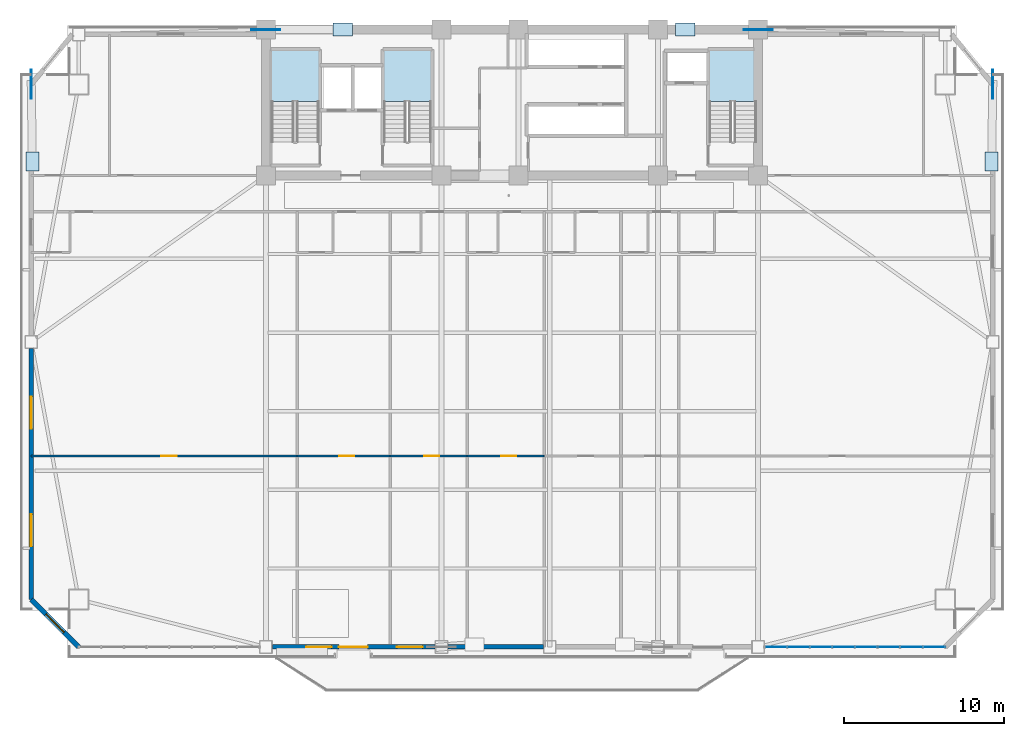
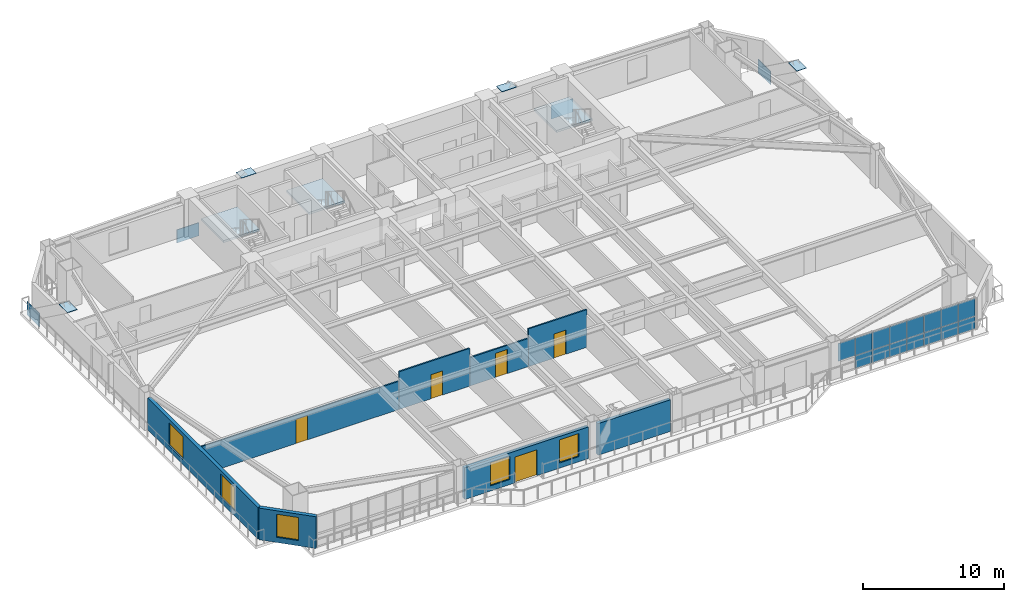
# One storey, part 7 of 17: 23 plates, 8 walls, 5 doors, 5 windows, 3 slabs, 10 openings, 4 elements without a shape of their own.
"""IFC4 building model written with IfcOpenShell, lengths in metres."""

from ifc_helpers import new_model, si_unit, direction, frame, frame_2d, origin, origin_2d, place, context, subcontext, project, spatial, polyline, rectangle, outline, extrude, source, transform, mapped, material, layer, layer_set, type_object, element, fill, aggregate, save


model = new_model("IFC4")

# Units and contexts
model_context = context("Model", 3, precision=1e-05, world=origin(), true_north=direction((0.0, 1.0)))
body_context = subcontext(model_context, "Body", "Model", "MODEL_VIEW")
ifc_project = project(units=[si_unit("LENGTHUNIT", "METRE"), si_unit("AREAUNIT", "SQUARE_METRE"), si_unit("VOLUMEUNIT", "CUBIC_METRE"), si_unit("PLANEANGLEUNIT", "RADIAN"), si_unit("MASSUNIT", "GRAM", prefix="KILO")], contexts=[model_context])

# Site, building, storey
site_placement = place(None, origin())
site = spatial("IfcSite", under=ifc_project, at=site_placement, CompositionType="ELEMENT")
building_placement = place(site_placement, origin())
building = spatial("IfcBuilding", under=site, at=building_placement, Name="Giltprow Tower", CompositionType="ELEMENT")
storey_placement = place(building_placement, frame((0.0, 0.0, 137.699951171875)))
storey = spatial("IfcBuildingStorey", under=building, at=storey_placement, Name="L33", CompositionType="ELEMENT", Elevation=137.699951171875)

# Stair, slab
ifc_material_1 = material(Name="Concrete C40", Category="concrete")
stair_type_1 = type_object("IfcStairType", Name="STR-ST-1", PredefinedType="HALF_TURN_STAIR", material=ifc_material_1)
stair_1_placement = place(storey_placement, origin())
stair_1 = element("IfcStair", 1, at=stair_1_placement, inside=storey, type_object=stair_type_1, Name="L33 Core Exit Stair ST-1", PredefinedType="HALF_TURN_STAIR")
ifc_layer_1 = layer(ifc_material_1, 0.179931640625, Name="Concrete C40")
ifc_layer_set_1 = layer_set([ifc_layer_1], Name="Concrete C40")
slab_type_1 = type_object("IfcSlabType", Name="SLD-ST-1", PredefinedType="LANDING", material=ifc_layer_set_1)
slab_1_placement = place(storey_placement, frame((0.0, 0.0, 1.570068359375)))
slab_1 = element("IfcSlab", 2, at=slab_1_placement, type_object=slab_type_1, Name="ST-1 landing 1", PredefinedType="LANDING", context=body_context, shape_type="SweptSolid", body=[
    extrude(outline(polyline([(23.159912109375, 42.070068359375), (23.159912109375, 45.25), (20.199951171875, 45.25), (20.199951171875, 42.070068359375), (23.159912109375, 42.070068359375)])), origin(), (0.0, 0.0, 1.0), 0.179931640625),
])
aggregate(stair_1, [slab_1])

stair_type_2 = type_object("IfcStairType", Name="STR-ST-2", PredefinedType="HALF_TURN_STAIR", material=ifc_material_1)
stair_2_placement = place(storey_placement, origin())
stair_2 = element("IfcStair", 3, at=stair_2_placement, inside=storey, type_object=stair_type_2, Name="L33 Core Exit Stair ST-2", PredefinedType="HALF_TURN_STAIR")
ifc_layer_2 = layer(ifc_material_1, 0.18798828125, Name="Concrete C40")
ifc_layer_set_2 = layer_set([ifc_layer_2], Name="Concrete C40")
slab_type_2 = type_object("IfcSlabType", Name="SLD-ST-2", PredefinedType="LANDING", material=ifc_layer_set_2)
slab_2_placement = place(storey_placement, frame((0.0, 0.0, 1.56201171875)))
slab_2 = element("IfcSlab", 4, at=slab_2_placement, type_object=slab_type_2, Name="ST-2 landing 1", PredefinedType="LANDING", context=body_context, shape_type="SweptSolid", body=[
    extrude(outline(polyline([(30.159912109375, 42.070068359375), (30.159912109375, 45.25), (27.199951171875, 45.25), (27.199951171875, 42.070068359375), (30.159912109375, 42.070068359375)])), origin(), (0.0, 0.0, 1.0), 0.18798828125),
])
aggregate(stair_2, [slab_2])

stair_type_3 = type_object("IfcStairType", Name="STR-ST-3", PredefinedType="HALF_TURN_STAIR", material=ifc_material_1)
stair_3_placement = place(storey_placement, origin())
stair_3 = element("IfcStair", 5, at=stair_3_placement, inside=storey, type_object=stair_type_3, Name="L33 Core Exit Stair ST-3", PredefinedType="HALF_TURN_STAIR")
ifc_layer_3 = layer(ifc_material_1, 0.196044921875, Name="Concrete C40")
ifc_layer_set_3 = layer_set([ifc_layer_3], Name="Concrete C40")
slab_type_3 = type_object("IfcSlabType", Name="SLD-ST-3", PredefinedType="LANDING", material=ifc_layer_set_3)
slab_3_placement = place(storey_placement, frame((0.0, 0.0, 1.553955078125)))
slab_3 = element("IfcSlab", 6, at=slab_3_placement, type_object=slab_type_3, Name="ST-3 landing 1", PredefinedType="LANDING", context=body_context, shape_type="SweptSolid", body=[
    extrude(outline(polyline([(50.4599609375, 42.070068359375), (50.4599609375, 45.25), (47.5, 45.25), (47.5, 42.070068359375), (50.4599609375, 42.070068359375)])), origin(), (0.0, 0.0, 1.0), 0.196044921875),
])
aggregate(stair_3, [slab_3])

# Plates
ifc_material_2 = material(Name="Structural steel Q420GJC", Category="steel")
plate_type_1 = type_object("IfcPlateType", Name="PLT-NODE-MBN1", PredefinedType="USERDEFINED", material=ifc_material_2)
shared_shape_1 = source(origin(), body_context, "Body", "SweptSolid", [
    extrude(rectangle(XDim=1.800048828125, YDim=0.050048828125, at=origin_2d()), origin(), (0.0, 0.0, 1.0), 1.14990234375),
])
for number, where, z_axis, x_axis, name in (
    (7, (19.85009765625, 46.550048828125, -0.71484375), (0.0, 0.0, 1.0), (1.0, 0.0, 0.0), "Mega-Brace Node L33-N-LA"),
    (8, (50.550048828125, 46.550048828125, -0.71484375), (0.0, 0.0, 1.0), (1.0, 0.0, 0.0), "Mega-Brace Node L33-N-RA"),
    (9, (5.214111328125, 43.134033203125, -0.574951171875), (0.0, 0.0, 1.0), (0.0, 1.0, 0.0), "Mega-Brace Node L33-W-RA"),
    (10, (65.18603515625, 43.134033203125, -0.574951171875), (0.0, 0.0, 1.0), (0.0, 1.0, 0.0), "Mega-Brace Node L33-E-RA"),
):
    element("IfcPlate", number, at=place(storey_placement, frame(where, z_axis=z_axis, x_axis=x_axis)), inside=storey, type_object=plate_type_1, Name=name, ObjectType="GUSSET", PredefinedType="USERDEFINED", context=body_context, shape_type="MappedRepresentation", body=[
        mapped(shared_shape_1, transform((0.0, 0.0, 0.0), x_axis=(1.0, 0.0, 0.0), y_axis=(0.0, 1.0, 0.0), z_axis=(0.0, 0.0, 1.0), scale=1.0)),
    ])
plate_type_2 = type_object("IfcPlateType", Name="PLT-CAP-SEAL", PredefinedType="USERDEFINED", material=ifc_material_2)
shared_shape_2 = source(origin(), body_context, "Body", "SweptSolid", [
    extrude(rectangle(XDim=1.199951171875, YDim=0.800048828125, at=origin_2d()), origin(), (0.0, 0.0, 1.0), 0.034912109375),
])
for number, where, z_axis, x_axis, name in (
    (11, (24.64306640625, 46.550048828125, 3.3427734375), (0.0, 0.0, 1.0), (1.0, 0.0, 0.0), "Mega-Brace Node L33-N-LB"),
    (12, (46.0, 46.550048828125, 3.3427734375), (0.0, 0.0, 1.0), (1.0, 0.0, 0.0), "Mega-Brace Node L33-N-RB"),
    (13, (5.285888671875, 38.325927734375, 3.482421875), (0.0, 0.0, 1.0), (0.0, 1.0, 0.0), "Mega-Brace Node L33-W-RB"),
    (14, (65.114013671875, 38.325927734375, 3.482421875), (0.0, 0.0, 1.0), (0.0, 1.0, 0.0), "Mega-Brace Node L33-E-RB"),
):
    element("IfcPlate", number, at=place(storey_placement, frame(where, z_axis=z_axis, x_axis=x_axis)), inside=storey, type_object=plate_type_2, Name=name, ObjectType="SPLICE", PredefinedType="USERDEFINED", context=body_context, shape_type="MappedRepresentation", body=[
        mapped(shared_shape_2, transform((0.0, 0.0, 0.0), x_axis=(1.0, 0.0, 0.0), y_axis=(0.0, 1.0, 0.0), z_axis=(0.0, 0.0, 1.0), scale=1.0)),
    ])

# Curtain wall, plates
ifc_material_3 = material(Name="Anodized bronze", Category="metal")
ifc_layer_4 = layer(ifc_material_3, 0.179931640625, Name="Anodized bronze")
ifc_layer_set_4 = layer_set([ifc_layer_4], Name="Anodized bronze")
curtain_wall_type = type_object("IfcCurtainWallType", Name="CW-HTL-BRONZE", PredefinedType="NOTDEFINED", material=ifc_layer_set_4)
curtain_wall_placement = place(storey_placement, origin())
curtain_wall = element("IfcCurtainWall", 15, at=curtain_wall_placement, inside=storey, type_object=curtain_wall_type, Name="L33 South Recessed Curtain Wall 6", PredefinedType="NOTDEFINED")
ifc_material_4 = material(Name="Insulated glass", Category="glass")
plate_type_3 = type_object("IfcPlateType", Name="CW-PANEL-IGU-28", PredefinedType="CURTAIN_PANEL", material=ifc_material_4)
shared_shape_3 = source(origin(), body_context, "Body", "SweptSolid", [
    extrude(rectangle(XDim=1.37890625, YDim=0.028076171875, at=origin_2d()), origin(), (0.0, 0.0, 1.0), 1.0869140625),
])
plate_1_placement = place(storey_placement, frame((53.06298828125, 8.044921875, 0.0546875), z_axis=(0.0, 0.0, 1.0), x_axis=(1.0, 0.0, 0.0)))
plate_1 = element("IfcPlate", 16, at=plate_1_placement, type_object=plate_type_3, Name="L33 South Recessed Curtain Wall 6 Glazing Panel 2-1", PredefinedType="CURTAIN_PANEL", context=body_context, shape_type="MappedRepresentation", body=[
    mapped(shared_shape_3, transform((0.0, 0.0, 0.0), x_axis=(1.0, 0.0, 0.0), y_axis=(0.0, 1.0, 0.0), z_axis=(0.0, 0.0, 1.0), scale=1.0)),
])
plate_2_placement = place(storey_placement, frame((54.471923828125, 8.044921875, 0.0546875), z_axis=(0.0, 0.0, 1.0), x_axis=(1.0, 0.0, 0.0)))
plate_2 = element("IfcPlate", 17, at=plate_2_placement, type_object=plate_type_3, Name="L33 South Recessed Curtain Wall 6 Glazing Panel 3-1", PredefinedType="CURTAIN_PANEL", context=body_context, shape_type="MappedRepresentation", body=[
    mapped(shared_shape_3, transform((0.0, 0.0, 0.0), x_axis=(1.0, 0.0, 0.0), y_axis=(0.0, 1.0, 0.0), z_axis=(0.0, 0.0, 1.0), scale=1.0)),
])
plate_3_placement = place(storey_placement, frame((55.881103515625, 8.044921875, 0.0546875), z_axis=(0.0, 0.0, 1.0), x_axis=(1.0, 0.0, 0.0)))
plate_3 = element("IfcPlate", 18, at=plate_3_placement, type_object=plate_type_3, Name="L33 South Recessed Curtain Wall 6 Glazing Panel 4-1", PredefinedType="CURTAIN_PANEL", context=body_context, shape_type="MappedRepresentation", body=[
    mapped(shared_shape_3, transform((0.0, 0.0, 0.0), x_axis=(1.0, 0.0, 0.0), y_axis=(0.0, 1.0, 0.0), z_axis=(0.0, 0.0, 1.0), scale=1.0)),
])
plate_4_placement = place(storey_placement, frame((57.2900390625, 8.044921875, 0.0546875), z_axis=(0.0, 0.0, 1.0), x_axis=(1.0, 0.0, 0.0)))
plate_4 = element("IfcPlate", 19, at=plate_4_placement, type_object=plate_type_3, Name="L33 South Recessed Curtain Wall 6 Glazing Panel 5-1", PredefinedType="CURTAIN_PANEL", context=body_context, shape_type="MappedRepresentation", body=[
    mapped(shared_shape_3, transform((0.0, 0.0, 0.0), x_axis=(1.0, 0.0, 0.0), y_axis=(0.0, 1.0, 0.0), z_axis=(0.0, 0.0, 1.0), scale=1.0)),
])
plate_5_placement = place(storey_placement, frame((58.698974609375, 8.044921875, 0.0546875), z_axis=(0.0, 0.0, 1.0), x_axis=(1.0, 0.0, 0.0)))
plate_5 = element("IfcPlate", 20, at=plate_5_placement, type_object=plate_type_3, Name="L33 South Recessed Curtain Wall 6 Glazing Panel 6-1", PredefinedType="CURTAIN_PANEL", context=body_context, shape_type="MappedRepresentation", body=[
    mapped(shared_shape_3, transform((0.0, 0.0, 0.0), x_axis=(1.0, 0.0, 0.0), y_axis=(0.0, 1.0, 0.0), z_axis=(0.0, 0.0, 1.0), scale=1.0)),
])
plate_6_placement = place(storey_placement, frame((60.10791015625, 8.044921875, 0.0546875), z_axis=(0.0, 0.0, 1.0), x_axis=(1.0, 0.0, 0.0)))
plate_6 = element("IfcPlate", 21, at=plate_6_placement, type_object=plate_type_3, Name="L33 South Recessed Curtain Wall 6 Glazing Panel 7-1", PredefinedType="CURTAIN_PANEL", context=body_context, shape_type="MappedRepresentation", body=[
    mapped(shared_shape_3, transform((0.0, 0.0, 0.0), x_axis=(1.0, 0.0, 0.0), y_axis=(0.0, 1.0, 0.0), z_axis=(0.0, 0.0, 1.0), scale=1.0)),
])
plate_7_placement = place(storey_placement, frame((61.51708984375, 8.044921875, 0.0546875), z_axis=(0.0, 0.0, 1.0), x_axis=(1.0, 0.0, 0.0)))
plate_7 = element("IfcPlate", 22, at=plate_7_placement, type_object=plate_type_3, Name="L33 South Recessed Curtain Wall 6 Glazing Panel 8-1", PredefinedType="CURTAIN_PANEL", context=body_context, shape_type="MappedRepresentation", body=[
    mapped(shared_shape_3, transform((0.0, 0.0, 0.0), x_axis=(1.0, 0.0, 0.0), y_axis=(0.0, 1.0, 0.0), z_axis=(0.0, 0.0, 1.0), scale=1.0)),
])
shared_shape_4 = source(origin(), body_context, "Body", "SweptSolid", [
    extrude(rectangle(XDim=1.37890625, YDim=0.028076171875, at=origin_2d()), origin(), (0.0, 0.0, 1.0), 1.527099609375),
])
plate_8_placement = place(storey_placement, frame((51.654052734375, 8.044921875, 1.16845703125), z_axis=(0.0, 0.0, 1.0), x_axis=(1.0, 0.0, 0.0)))
plate_8 = element("IfcPlate", 23, at=plate_8_placement, type_object=plate_type_3, Name="L33 South Recessed Curtain Wall 6 Glazing Panel 1-2", PredefinedType="CURTAIN_PANEL", context=body_context, shape_type="MappedRepresentation", body=[
    mapped(shared_shape_4, transform((0.0, 0.0, 0.0), x_axis=(1.0, 0.0, 0.0), y_axis=(0.0, 1.0, 0.0), z_axis=(0.0, 0.0, 1.0), scale=1.0)),
])
plate_9_placement = place(storey_placement, frame((53.06298828125, 8.044921875, 1.16845703125), z_axis=(0.0, 0.0, 1.0), x_axis=(1.0, 0.0, 0.0)))
plate_9 = element("IfcPlate", 24, at=plate_9_placement, type_object=plate_type_3, Name="L33 South Recessed Curtain Wall 6 Glazing Panel 2-2", PredefinedType="CURTAIN_PANEL", context=body_context, shape_type="MappedRepresentation", body=[
    mapped(shared_shape_4, transform((0.0, 0.0, 0.0), x_axis=(1.0, 0.0, 0.0), y_axis=(0.0, 1.0, 0.0), z_axis=(0.0, 0.0, 1.0), scale=1.0)),
])
plate_10_placement = place(storey_placement, frame((54.471923828125, 8.044921875, 1.16845703125), z_axis=(0.0, 0.0, 1.0), x_axis=(1.0, 0.0, 0.0)))
plate_10 = element("IfcPlate", 25, at=plate_10_placement, type_object=plate_type_3, Name="L33 South Recessed Curtain Wall 6 Glazing Panel 3-2", PredefinedType="CURTAIN_PANEL", context=body_context, shape_type="MappedRepresentation", body=[
    mapped(shared_shape_4, transform((0.0, 0.0, 0.0), x_axis=(1.0, 0.0, 0.0), y_axis=(0.0, 1.0, 0.0), z_axis=(0.0, 0.0, 1.0), scale=1.0)),
])
plate_11_placement = place(storey_placement, frame((55.881103515625, 8.044921875, 1.16845703125), z_axis=(0.0, 0.0, 1.0), x_axis=(1.0, 0.0, 0.0)))
plate_11 = element("IfcPlate", 26, at=plate_11_placement, type_object=plate_type_3, Name="L33 South Recessed Curtain Wall 6 Glazing Panel 4-2", PredefinedType="CURTAIN_PANEL", context=body_context, shape_type="MappedRepresentation", body=[
    mapped(shared_shape_4, transform((0.0, 0.0, 0.0), x_axis=(1.0, 0.0, 0.0), y_axis=(0.0, 1.0, 0.0), z_axis=(0.0, 0.0, 1.0), scale=1.0)),
])
plate_12_placement = place(storey_placement, frame((57.2900390625, 8.044921875, 1.16845703125), z_axis=(0.0, 0.0, 1.0), x_axis=(1.0, 0.0, 0.0)))
plate_12 = element("IfcPlate", 27, at=plate_12_placement, type_object=plate_type_3, Name="L33 South Recessed Curtain Wall 6 Glazing Panel 5-2", PredefinedType="CURTAIN_PANEL", context=body_context, shape_type="MappedRepresentation", body=[
    mapped(shared_shape_4, transform((0.0, 0.0, 0.0), x_axis=(1.0, 0.0, 0.0), y_axis=(0.0, 1.0, 0.0), z_axis=(0.0, 0.0, 1.0), scale=1.0)),
])
plate_13_placement = place(storey_placement, frame((58.698974609375, 8.044921875, 1.16845703125), z_axis=(0.0, 0.0, 1.0), x_axis=(1.0, 0.0, 0.0)))
plate_13 = element("IfcPlate", 28, at=plate_13_placement, type_object=plate_type_3, Name="L33 South Recessed Curtain Wall 6 Glazing Panel 6-2", PredefinedType="CURTAIN_PANEL", context=body_context, shape_type="MappedRepresentation", body=[
    mapped(shared_shape_4, transform((0.0, 0.0, 0.0), x_axis=(1.0, 0.0, 0.0), y_axis=(0.0, 1.0, 0.0), z_axis=(0.0, 0.0, 1.0), scale=1.0)),
])
plate_14_placement = place(storey_placement, frame((60.10791015625, 8.044921875, 1.16845703125), z_axis=(0.0, 0.0, 1.0), x_axis=(1.0, 0.0, 0.0)))
plate_14 = element("IfcPlate", 29, at=plate_14_placement, type_object=plate_type_3, Name="L33 South Recessed Curtain Wall 6 Glazing Panel 7-2", PredefinedType="CURTAIN_PANEL", context=body_context, shape_type="MappedRepresentation", body=[
    mapped(shared_shape_4, transform((0.0, 0.0, 0.0), x_axis=(1.0, 0.0, 0.0), y_axis=(0.0, 1.0, 0.0), z_axis=(0.0, 0.0, 1.0), scale=1.0)),
])
plate_15_placement = place(storey_placement, frame((61.51708984375, 8.044921875, 1.16845703125), z_axis=(0.0, 0.0, 1.0), x_axis=(1.0, 0.0, 0.0)))
plate_15 = element("IfcPlate", 30, at=plate_15_placement, type_object=plate_type_3, Name="L33 South Recessed Curtain Wall 6 Glazing Panel 8-2", PredefinedType="CURTAIN_PANEL", context=body_context, shape_type="MappedRepresentation", body=[
    mapped(shared_shape_4, transform((0.0, 0.0, 0.0), x_axis=(1.0, 0.0, 0.0), y_axis=(0.0, 1.0, 0.0), z_axis=(0.0, 0.0, 1.0), scale=1.0)),
])
aggregate(curtain_wall, [plate_8, plate_1, plate_9, plate_2, plate_10, plate_3, plate_11, plate_4, plate_12, plate_5, plate_13, plate_6, plate_14, plate_7, plate_15])

# Wall, opening, window
ifc_material_5 = material(Name="Precast concrete C40", Category="concrete")
ifc_layer_5 = layer(ifc_material_5, 0.300048828125, Name="Precast concrete C40")
ifc_layer_set_5 = layer_set([ifc_layer_5], Name="Precast concrete C40")
wall_type_1 = type_object("IfcWallType", Name="EW-NOTCH-CHAMFER-300", PredefinedType="SOLIDWALL", material=ifc_layer_set_5)
wall_1_placement = place(storey_placement, frame((5.214111328125, 11.010009765625, 0.0), z_axis=(0.0, 0.0, 1.0), x_axis=(0.707077668364, -0.70713589281, 0.0)))
wall_1 = element("IfcWall", 31, at=wall_1_placement, inside=storey, type_object=wall_type_1, Name="L33 Corner Notch Wall SW", PredefinedType="SOLIDWALL", context=body_context, shape_type="SweptSolid", body=[
    extrude(rectangle(XDim=4.193115234375, YDim=0.300048828125, at=frame_2d((2.0966796875, 0.0))), origin(), (0.0, 0.0, 1.0), 2.75),
])
opening_1_placement = place(wall_1_placement, frame((1.297119140625, 0.0, 0.449951171875)))
opening_1 = element("IfcOpeningElement", 32, at=opening_1_placement, cuts=wall_1, Name="Opening WN17", PredefinedType="OPENING", context=body_context, shape_type="SweptSolid", body=[
    extrude(rectangle(XDim=1.60009765625, YDim=2.0, at=frame_2d((0.800048828125, 1.0))), frame((0.0, 0.159912109375, 0.0), z_axis=(0.0, -1.0, 0.0), x_axis=(1.0, 0.0, 0.0)), (0.0, 0.0, 1.0), 0.320068359375),
])
window_type_1 = type_object("IfcWindowType", Name="WN-COR-1600x2000", PartitioningType="SINGLE_PANEL", PredefinedType="WINDOW", material=ifc_material_4)
shared_shape_5 = source(origin(), body_context, "Body", "SweptSolid", [
    extrude(rectangle(XDim=1.60009765625, YDim=2.0, at=frame_2d((0.800048828125, 1.0))), frame((0.0, 0.030029296875, 0.0), z_axis=(0.0, -1.0, 0.0), x_axis=(1.0, 0.0, 0.0)), (0.0, 0.0, 1.0), 0.06005859375),
])
window_1_placement = place(opening_1_placement, origin())
window_1 = element("IfcWindow", 33, at=window_1_placement, inside=storey, type_object=window_type_1, Name="L33 Corner Notch Window SW", OverallHeight=2.0, OverallWidth=1.60009765625, PartitioningType="SINGLE_PANEL", PredefinedType="WINDOW", context=body_context, shape_type="MappedRepresentation", body=[
    mapped(shared_shape_5, transform((0.0, 0.0, 0.0), x_axis=(1.0, 0.0, 0.0), y_axis=(0.0, 1.0, 0.0), z_axis=(0.0, 0.0, 1.0), scale=1.0)),
])
fill(opening_1, window_1)

# Wall, openings, windows, door
ifc_layer_6 = layer(ifc_material_5, 0.280029296875, Name="Precast concrete C40")
ifc_layer_set_6 = layer_set([ifc_layer_6], Name="Precast concrete C40")
wall_type_2 = type_object("IfcWallType", Name="EW-TOW-BRONZE-280", PredefinedType="SOLIDWALL", material=ifc_layer_set_6)
wall_2_placement = place(storey_placement, frame((20.25, 8.044921875, 0.0), z_axis=(0.0, 0.0, 1.0), x_axis=(1.0, 0.0, 0.0)))
wall_2 = element("IfcWall", 34, at=wall_2_placement, inside=storey, type_object=wall_type_2, Name="L33 South Expressed Frame Wall 2", PredefinedType="SOLIDWALL", context=body_context, shape_type="SweptSolid", body=[
    extrude(rectangle(XDim=10.14990234375, YDim=0.280029296875, at=frame_2d((5.074951171875, 0.0))), origin(), (0.0, 0.0, 1.0), 2.75),
])
opening_2_placement = place(wall_2_placement, frame((4.14990234375, 0.0, 0.0)))
opening_2 = element("IfcOpeningElement", 35, at=opening_2_placement, cuts=wall_2, Name="Opening ED25", PredefinedType="OPENING", context=body_context, shape_type="SweptSolid", body=[
    extrude(rectangle(XDim=1.800048828125, YDim=2.25, at=frame_2d((0.89990234375, 1.125))), frame((0.0, 0.14990234375, 0.0), z_axis=(0.0, -1.0, 0.0), x_axis=(1.0, 0.0, 0.0)), (0.0, 0.0, 1.0), 0.300048828125),
])
opening_3_placement = place(wall_2_placement, frame((2.10498046875, 0.0, 0.449951171875)))
opening_3 = element("IfcOpeningElement", 36, at=opening_3_placement, cuts=wall_2, Name="Opening WN17", PredefinedType="OPENING", context=body_context, shape_type="SweptSolid", body=[
    extrude(rectangle(XDim=1.60009765625, YDim=2.0, at=frame_2d((0.800048828125, 1.0))), frame((0.0, 0.14990234375, 0.0), z_axis=(0.0, -1.0, 0.0), x_axis=(1.0, 0.0, 0.0)), (0.0, 0.0, 1.0), 0.300048828125),
])
opening_4_placement = place(wall_2_placement, frame((7.77001953125, 0.0, 0.449951171875)))
opening_4 = element("IfcOpeningElement", 37, at=opening_4_placement, cuts=wall_2, Name="Opening WN17", PredefinedType="OPENING", context=body_context, shape_type="SweptSolid", body=[
    extrude(rectangle(XDim=1.60009765625, YDim=2.0, at=frame_2d((0.800048828125, 1.0))), frame((0.0, 0.14990234375, 0.0), z_axis=(0.0, -1.0, 0.0), x_axis=(1.0, 0.0, 0.0)), (0.0, 0.0, 1.0), 0.300048828125),
])
window_2_placement = place(opening_3_placement, origin())
window_2 = element("IfcWindow", 38, at=window_2_placement, inside=storey, type_object=window_type_1, Name="L33 South Window 2A", OverallHeight=2.0, OverallWidth=1.60009765625, PartitioningType="SINGLE_PANEL", PredefinedType="WINDOW", context=body_context, shape_type="MappedRepresentation", body=[
    mapped(shared_shape_5, transform((0.0, 0.0, 0.0), x_axis=(1.0, 0.0, 0.0), y_axis=(0.0, 1.0, 0.0), z_axis=(0.0, 0.0, 1.0), scale=1.0)),
])
fill(opening_3, window_2)
window_3_placement = place(opening_4_placement, origin())
window_3 = element("IfcWindow", 39, at=window_3_placement, inside=storey, type_object=window_type_1, Name="L33 South Window 2B", OverallHeight=2.0, OverallWidth=1.60009765625, PartitioningType="SINGLE_PANEL", PredefinedType="WINDOW", context=body_context, shape_type="MappedRepresentation", body=[
    mapped(shared_shape_5, transform((0.0, 0.0, 0.0), x_axis=(1.0, 0.0, 0.0), y_axis=(0.0, 1.0, 0.0), z_axis=(0.0, 0.0, 1.0), scale=1.0)),
])
fill(opening_4, window_3)
ifc_material_6 = material(Name="Anodized bronze and glass", Category="glass")
door_type_1 = type_object("IfcDoorType", Name="DR-BALC-SLIDE-1800", OperationType="SLIDING_TO_LEFT", PredefinedType="DOOR", material=ifc_material_6)
shared_shape_6 = source(origin(), body_context, "Body", "SweptSolid", [
    extrude(rectangle(XDim=1.800048828125, YDim=2.25, at=frame_2d((0.89990234375, 1.125))), frame((0.0, 0.02490234375, 0.0), z_axis=(0.0, -1.0, 0.0), x_axis=(1.0, 0.0, 0.0)), (0.0, 0.0, 1.0), 0.050048828125),
])
door_1_placement = place(opening_2_placement, origin())
door_1 = element("IfcDoor", 40, at=door_1_placement, inside=storey, type_object=door_type_1, Name="L33 Waterfront Balcony Sliding Door 1", OperationType="SLIDING_TO_LEFT", OverallHeight=2.25, OverallWidth=1.800048828125, PredefinedType="DOOR", context=body_context, shape_type="MappedRepresentation", body=[
    mapped(shared_shape_6, transform((0.0, 0.0, 0.0), x_axis=(1.0, 0.0, 0.0), y_axis=(0.0, 1.0, 0.0), z_axis=(0.0, 0.0, 1.0), scale=1.0)),
])
fill(opening_2, door_1)

# Wall
wall_3_placement = place(storey_placement, frame((31.199951171875, 8.044921875, 0.0), z_axis=(0.0, 0.0, 1.0), x_axis=(1.0, 0.0, 0.0)))
element("IfcWall", 41, at=wall_3_placement, inside=storey, type_object=wall_type_2, Name="L33 South Expressed Frame Wall 3", PredefinedType="SOLIDWALL", context=body_context, shape_type="SweptSolid", body=[
    extrude(rectangle(XDim=5.949951171875, YDim=0.280029296875, at=frame_2d((2.97509765625, 0.0))), origin(), (0.0, 0.0, 1.0), 2.75),
])

# Wall, openings, windows
wall_4_placement = place(storey_placement, frame((5.214111328125, 11.010009765625, 0.0), z_axis=(0.0, 0.0, 1.0), x_axis=(0.0, 1.0, 0.0)))
wall_4 = element("IfcWall", 42, at=wall_4_placement, inside=storey, type_object=wall_type_2, Name="L33 W Wing Masonry Wall 1", PredefinedType="SOLIDWALL", context=body_context, shape_type="SweptSolid", body=[
    extrude(rectangle(XDim=15.662109375, YDim=0.280029296875, at=frame_2d((7.8310546875, 0.0))), origin(), (0.0, 0.0, 1.0), 2.75),
])
opening_5_placement = place(wall_4_placement, frame((3.31201171875, 0.0, 0.449951171875)))
opening_5 = element("IfcOpeningElement", 43, at=opening_5_placement, cuts=wall_4, Name="Opening WN21", PredefinedType="OPENING", context=body_context, shape_type="SweptSolid", body=[
    extrude(rectangle(XDim=2.0, YDim=2.0, at=frame_2d((1.0, 1.0))), frame((0.0, 0.14990234375, 0.0), z_axis=(0.0, -1.0, 0.0), x_axis=(1.0, 0.0, 0.0)), (0.0, 0.0, 1.0), 0.300048828125),
])
opening_6_placement = place(wall_4_placement, frame((10.64306640625, 0.0, 0.449951171875)))
opening_6 = element("IfcOpeningElement", 44, at=opening_6_placement, cuts=wall_4, Name="Opening WN21", PredefinedType="OPENING", context=body_context, shape_type="SweptSolid", body=[
    extrude(rectangle(XDim=2.0, YDim=2.0, at=frame_2d((1.0, 1.0))), frame((0.0, 0.14990234375, 0.0), z_axis=(0.0, -1.0, 0.0), x_axis=(1.0, 0.0, 0.0)), (0.0, 0.0, 1.0), 0.300048828125),
])
window_type_2 = type_object("IfcWindowType", Name="WN-HTL-2000x2000", PartitioningType="DOUBLE_PANEL_VERTICAL", PredefinedType="WINDOW", material=ifc_material_4)
shared_shape_7 = source(origin(), body_context, "Body", "SweptSolid", [
    extrude(rectangle(XDim=2.0, YDim=2.0, at=frame_2d((1.0, 1.0))), frame((0.0, 0.030029296875, 0.0), z_axis=(0.0, -1.0, 0.0), x_axis=(1.0, 0.0, 0.0)), (0.0, 0.0, 1.0), 0.06005859375),
])
window_4_placement = place(opening_5_placement, origin())
window_4 = element("IfcWindow", 45, at=window_4_placement, inside=storey, type_object=window_type_2, Name="L33 W Wing Window 1-1A", OverallHeight=2.0, OverallWidth=2.0, PartitioningType="SINGLE_PANEL", PredefinedType="WINDOW", context=body_context, shape_type="MappedRepresentation", body=[
    mapped(shared_shape_7, transform((0.0, 0.0, 0.0), x_axis=(1.0, 0.0, 0.0), y_axis=(0.0, 1.0, 0.0), z_axis=(0.0, 0.0, 1.0), scale=1.0)),
])
fill(opening_5, window_4)
window_5_placement = place(opening_6_placement, origin())
window_5 = element("IfcWindow", 46, at=window_5_placement, inside=storey, type_object=window_type_2, Name="L33 W Wing Window 1-1B", OverallHeight=2.0, OverallWidth=2.0, PartitioningType="SINGLE_PANEL", PredefinedType="WINDOW", context=body_context, shape_type="MappedRepresentation", body=[
    mapped(shared_shape_7, transform((0.0, 0.0, 0.0), x_axis=(1.0, 0.0, 0.0), y_axis=(0.0, 1.0, 0.0), z_axis=(0.0, 0.0, 1.0), scale=1.0)),
])
fill(opening_6, window_5)

# Wall, opening, door
ifc_material_7 = material(Name="Gypsum stud partition", Category="gypsum")
ifc_layer_7 = layer(ifc_material_7, 0.1201171875, Name="Gypsum stud partition")
ifc_layer_set_7 = layer_set([ifc_layer_7], Name="Gypsum stud partition")
wall_type_3 = type_object("IfcWallType", Name="IW-ROOM-120", PredefinedType="PARTITIONING", material=ifc_layer_set_7)
wall_5_placement = place(storey_placement, frame((5.214111328125, 19.958984375, 0.0), z_axis=(0.0, 0.0, 1.0), x_axis=(1.0, 0.0, 0.0)))
wall_5 = element("IfcWall", 47, at=wall_5_placement, inside=storey, type_object=wall_type_3, Name="L33 Suite Parlour Divider 1", PredefinedType="PARTITIONING", context=body_context, shape_type="SweptSolid", body=[
    extrude(rectangle(XDim=16.5859375, YDim=0.1201171875, at=frame_2d((8.29296875, 0.0))), origin(), (0.0, 0.0, 1.0), 2.455078125),
])
opening_7_placement = place(wall_5_placement, frame((8.117919921875, 0.0, 0.0)))
opening_7 = element("IfcOpeningElement", 48, at=opening_7_placement, cuts=wall_5, Name="Opening ID11", PredefinedType="OPENING", context=body_context, shape_type="SweptSolid", body=[
    extrude(rectangle(XDim=0.949951171875, YDim=2.10009765625, at=frame_2d((0.47509765625, 1.050048828125))), frame((0.0, 0.070068359375, 0.0), z_axis=(0.0, -1.0, 0.0), x_axis=(1.0, 0.0, 0.0)), (0.0, 0.0, 1.0), 0.14013671875),
])
ifc_material_8 = material(Name="Engineered timber", Category="wood")
door_type_2 = type_object("IfcDoorType", Name="DR-ROOM-950", OperationType="SINGLE_SWING_RIGHT", PredefinedType="DOOR", material=ifc_material_8)
shared_shape_8 = source(origin(), body_context, "Body", "SweptSolid", [
    extrude(rectangle(XDim=0.949951171875, YDim=2.10009765625, at=frame_2d((0.47509765625, 1.050048828125))), frame((0.0, 0.02490234375, 0.0), z_axis=(0.0, -1.0, 0.0), x_axis=(1.0, 0.0, 0.0)), (0.0, 0.0, 1.0), 0.050048828125),
])
door_2_placement = place(opening_7_placement, origin())
door_2 = element("IfcDoor", 49, at=door_2_placement, inside=storey, type_object=door_type_2, Name="L33 Harbour Parlour 1 Door", OperationType="SINGLE_SWING_RIGHT", OverallHeight=2.10009765625, OverallWidth=0.949951171875, PredefinedType="DOOR", context=body_context, shape_type="MappedRepresentation", body=[
    mapped(shared_shape_8, transform((0.0, 0.0, 0.0), x_axis=(1.0, 0.0, 0.0), y_axis=(0.0, 1.0, 0.0), z_axis=(0.0, 0.0, 1.0), scale=1.0)),
])
fill(opening_7, door_2)

wall_6_placement = place(storey_placement, frame((21.800048828125, 19.958984375, 0.0), z_axis=(0.0, 0.0, 1.0), x_axis=(1.0, 0.0, 0.0)))
wall_6 = element("IfcWall", 50, at=wall_6_placement, inside=storey, type_object=wall_type_3, Name="L33 Suite Parlour Divider 2", PredefinedType="PARTITIONING", context=body_context, shape_type="SweptSolid", body=[
    extrude(rectangle(XDim=5.800048828125, YDim=0.1201171875, at=frame_2d((2.89990234375, 0.0))), origin(), (0.0, 0.0, 1.0), 3.27001953125),
])
opening_8_placement = place(wall_6_placement, frame((2.625, 0.0, 0.0)))
opening_8 = element("IfcOpeningElement", 51, at=opening_8_placement, cuts=wall_6, Name="Opening ID11", PredefinedType="OPENING", context=body_context, shape_type="SweptSolid", body=[
    extrude(rectangle(XDim=0.949951171875, YDim=2.10009765625, at=frame_2d((0.47509765625, 1.050048828125))), frame((0.0, 0.070068359375, 0.0), z_axis=(0.0, -1.0, 0.0), x_axis=(1.0, 0.0, 0.0)), (0.0, 0.0, 1.0), 0.14013671875),
])
door_3_placement = place(opening_8_placement, origin())
door_3 = element("IfcDoor", 52, at=door_3_placement, inside=storey, type_object=door_type_2, Name="L33 Harbour Parlour 2 Door", OperationType="SINGLE_SWING_LEFT", OverallHeight=2.10009765625, OverallWidth=0.949951171875, PredefinedType="DOOR", context=body_context, shape_type="MappedRepresentation", body=[
    mapped(shared_shape_8, transform((0.0, 0.0, 0.0), x_axis=(1.0, 0.0, 0.0), y_axis=(0.0, 1.0, 0.0), z_axis=(0.0, 0.0, 1.0), scale=1.0)),
])
fill(opening_8, door_3)

wall_7_placement = place(storey_placement, frame((27.60009765625, 19.958984375, 0.0), z_axis=(0.0, 0.0, 1.0), x_axis=(1.0, 0.0, 0.0)))
wall_7 = element("IfcWall", 53, at=wall_7_placement, inside=storey, type_object=wall_type_3, Name="L33 Suite Parlour Divider 3", PredefinedType="PARTITIONING", context=body_context, shape_type="SweptSolid", body=[
    extrude(rectangle(XDim=4.7998046875, YDim=0.1201171875, at=frame_2d((2.39990234375, 0.0))), origin(), (0.0, 0.0, 1.0), 2.455078125),
])
opening_9_placement = place(wall_7_placement, frame((2.125, 0.0, 0.0)))
opening_9 = element("IfcOpeningElement", 54, at=opening_9_placement, cuts=wall_7, Name="Opening ID11", PredefinedType="OPENING", context=body_context, shape_type="SweptSolid", body=[
    extrude(rectangle(XDim=0.949951171875, YDim=2.10009765625, at=frame_2d((0.47509765625, 1.050048828125))), frame((0.0, 0.070068359375, 0.0), z_axis=(0.0, -1.0, 0.0), x_axis=(1.0, 0.0, 0.0)), (0.0, 0.0, 1.0), 0.14013671875),
])
door_4_placement = place(opening_9_placement, origin())
door_4 = element("IfcDoor", 55, at=door_4_placement, inside=storey, type_object=door_type_2, Name="L33 Harbour Parlour 3 Door", OperationType="SINGLE_SWING_RIGHT", OverallHeight=2.10009765625, OverallWidth=0.949951171875, PredefinedType="DOOR", context=body_context, shape_type="MappedRepresentation", body=[
    mapped(shared_shape_8, transform((0.0, 0.0, 0.0), x_axis=(1.0, 0.0, 0.0), y_axis=(0.0, 1.0, 0.0), z_axis=(0.0, 0.0, 1.0), scale=1.0)),
])
fill(opening_9, door_4)

wall_8_placement = place(storey_placement, frame((32.39990234375, 19.958984375, 0.0), z_axis=(0.0, 0.0, 1.0), x_axis=(1.0, 0.0, 0.0)))
wall_8 = element("IfcWall", 56, at=wall_8_placement, inside=storey, type_object=wall_type_3, Name="L33 Suite Parlour Divider 4", PredefinedType="PARTITIONING", context=body_context, shape_type="SweptSolid", body=[
    extrude(rectangle(XDim=4.800048828125, YDim=0.1201171875, at=frame_2d((2.39990234375, 0.0))), origin(), (0.0, 0.0, 1.0), 3.27001953125),
])
opening_10_placement = place(wall_8_placement, frame((2.125, 0.0, 0.0)))
opening_10 = element("IfcOpeningElement", 57, at=opening_10_placement, cuts=wall_8, Name="Opening ID11", PredefinedType="OPENING", context=body_context, shape_type="SweptSolid", body=[
    extrude(rectangle(XDim=0.949951171875, YDim=2.10009765625, at=frame_2d((0.47509765625, 1.050048828125))), frame((0.0, 0.070068359375, 0.0), z_axis=(0.0, -1.0, 0.0), x_axis=(1.0, 0.0, 0.0)), (0.0, 0.0, 1.0), 0.14013671875),
])
door_5_placement = place(opening_10_placement, origin())
door_5 = element("IfcDoor", 58, at=door_5_placement, inside=storey, type_object=door_type_2, Name="L33 Harbour Parlour 4 Door", OperationType="SINGLE_SWING_LEFT", OverallHeight=2.10009765625, OverallWidth=0.949951171875, PredefinedType="DOOR", context=body_context, shape_type="MappedRepresentation", body=[
    mapped(shared_shape_8, transform((0.0, 0.0, 0.0), x_axis=(1.0, 0.0, 0.0), y_axis=(0.0, 1.0, 0.0), z_axis=(0.0, 0.0, 1.0), scale=1.0)),
])
fill(opening_10, door_5)

save(model, "model.ifc")
